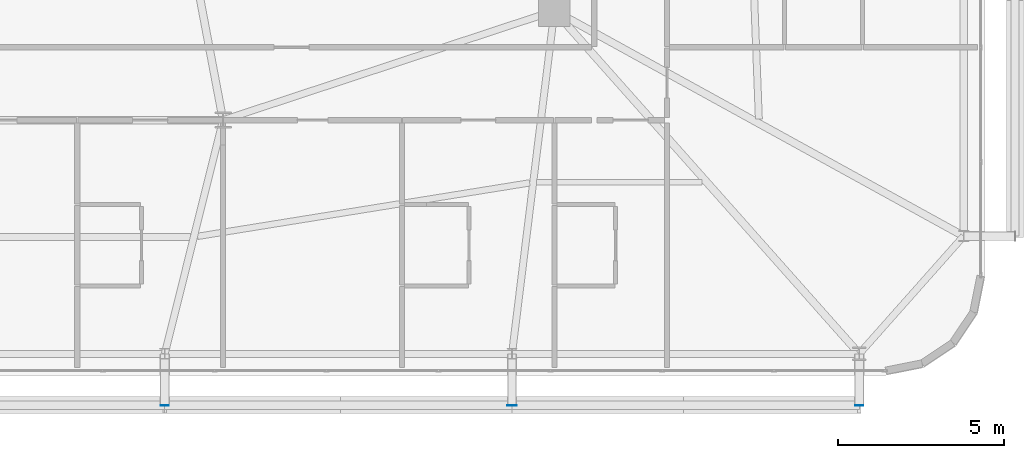
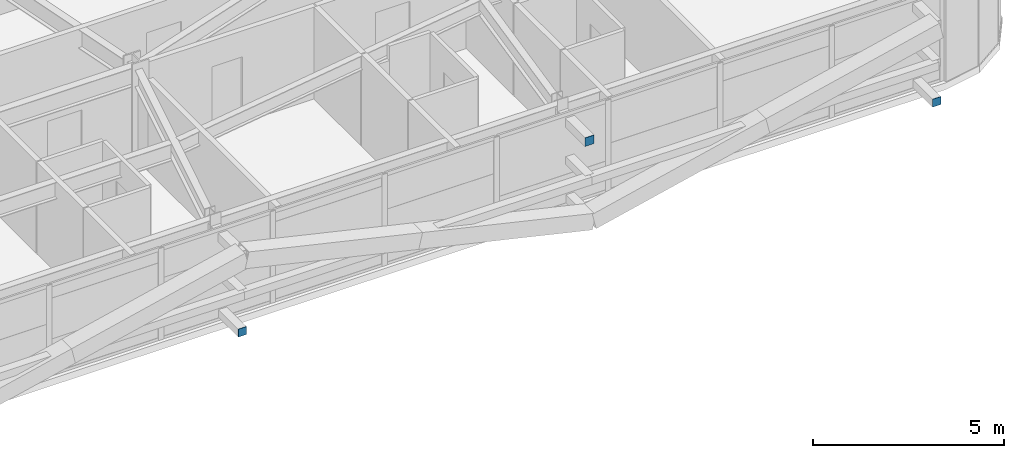
# One storey, part 47 of 59: 3 plates.
"""IFC4 building model written with IfcOpenShell, lengths in metres."""

from ifc_helpers import new_model, si_unit, direction, frame, origin, origin_2d, place, context, subcontext, project, spatial, rectangle, extrude, source, transform, mapped, material, layer, layer_set, type_object, element, save


model = new_model("IFC4")

# Units and contexts
model_context = context("Model", 3, precision=1e-05, world=origin(), true_north=direction((0.0, 1.0)))
body_context = subcontext(model_context, "Body", "Model", "MODEL_VIEW")
ifc_project = project(units=[si_unit("LENGTHUNIT", "METRE"), si_unit("AREAUNIT", "SQUARE_METRE"), si_unit("VOLUMEUNIT", "CUBIC_METRE"), si_unit("PLANEANGLEUNIT", "RADIAN"), si_unit("MASSUNIT", "GRAM", prefix="KILO")], contexts=[model_context])

# Site, building, storey
site_placement = place(None, origin())
site = spatial("IfcSite", under=ifc_project, at=site_placement, CompositionType="ELEMENT")
building_placement = place(site_placement, origin())
building = spatial("IfcBuilding", under=site, at=building_placement, Name="Taldren Reach Tower", CompositionType="ELEMENT")
storey_placement = place(building_placement, frame((0.0, 0.0, 23.10009765625)))
storey = spatial("IfcBuildingStorey", under=building, at=storey_placement, Name="L06", CompositionType="ELEMENT", Elevation=23.10009765625)

# Plates
ifc_material_1 = material(Name="Steel Gr 450 (C450L0)", Category="steel")
ifc_layer_1 = layer(ifc_material_1, 0.011962890625)
ifc_layer_set_1 = layer_set([ifc_layer_1], Name="Steel Gr 450 (C450L0)")
plate_type_1 = type_object("IfcPlateType", Name="PL-CAP-275", PredefinedType="SHEET", material=ifc_layer_set_1)
shared_shape_1 = source(origin(), body_context, "Body", "SweptSolid", [
    extrude(rectangle(XDim=0.27490234375, YDim=0.011962890625, at=origin_2d()), origin(), (0.0, 0.0, 1.0), 0.27490234375),
])
plate_placement = place(storey_placement, frame((50.719970703125, 0.593994140625, 2.512451171875), z_axis=(0.0, 0.0, 1.0), x_axis=(1.0, 0.0, 0.0)))
element("IfcPlate", 1, at=plate_placement, inside=storey, type_object=plate_type_1, Name="Tie strut end cap plate B1-S5 L06", PredefinedType="SHEET", context=body_context, shape_type="MappedRepresentation", body=[
    mapped(shared_shape_1, transform((0.0, 0.0, 0.0), scale=1.0)),
])
ifc_material_2 = material(Name="Steel Gr 350 (C350L0)", Category="steel")
ifc_layer_2 = layer(ifc_material_2, 0.011962890625)
ifc_layer_set_2 = layer_set([ifc_layer_2], Name="Steel Gr 350 (C350L0)")
plate_type_2 = type_object("IfcPlateType", Name="PL-CAP-250", PredefinedType="SHEET", material=ifc_layer_set_2)
shared_shape_2 = source(origin(), body_context, "Body", "SweptSolid", [
    extrude(rectangle(XDim=0.25, YDim=0.011962890625, at=origin_2d()), origin(), (0.0, 0.0, 1.0), 0.25),
])
for number, where, z_axis, x_axis, name in (
    (2, (40.239990234375, 0.593994140625, 0.094970703125), (0.0, 0.0, 1.0), (1.0, 0.0, 0.0), "Tie strut end cap plate B1-S4 L06"),
    (3, (61.199951171875, 0.593994140625, 0.094970703125), (0.0, 0.0, 1.0), (1.0, 0.0, 0.0), "Tie strut end cap plate B1-S6 L06"),
):
    element("IfcPlate", number, at=place(storey_placement, frame(where, z_axis=z_axis, x_axis=x_axis)), inside=storey, type_object=plate_type_2, Name=name, PredefinedType="SHEET", context=body_context, shape_type="MappedRepresentation", body=[
        mapped(shared_shape_2, transform((0.0, 0.0, 0.0), scale=1.0)),
    ])

save(model, "model.ifc")
